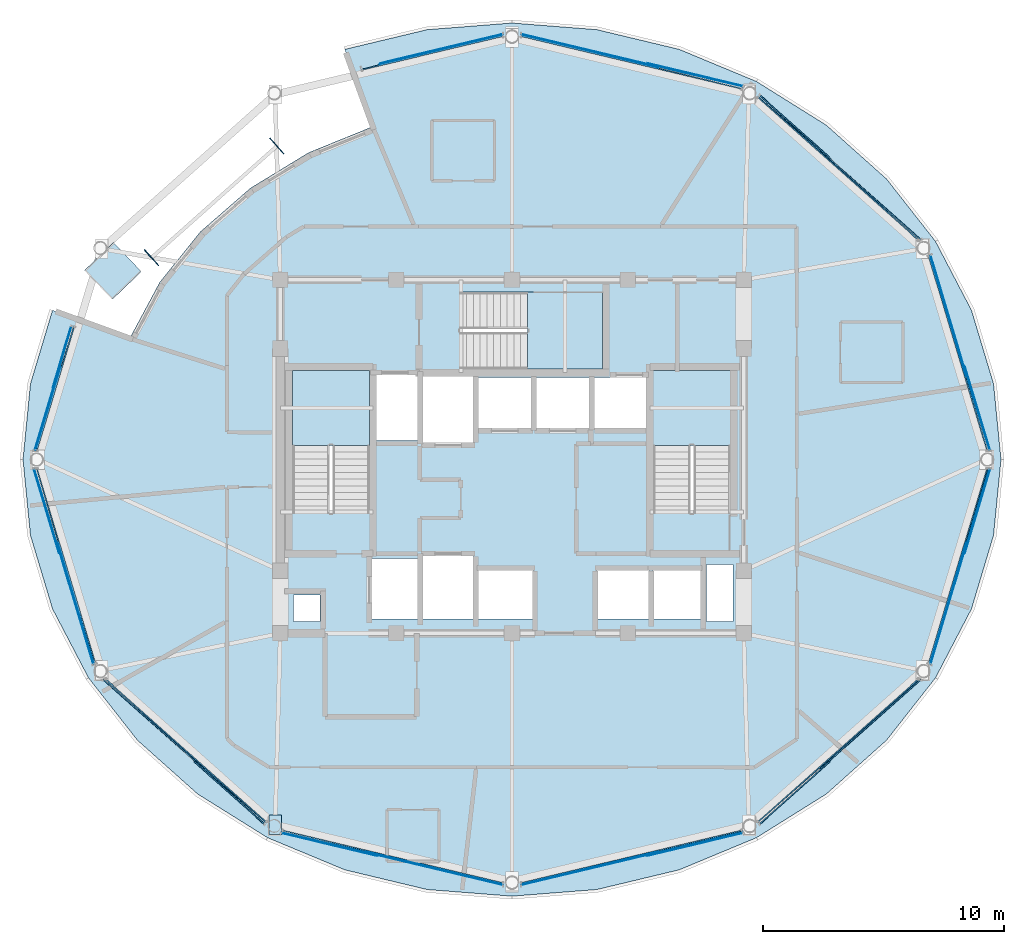
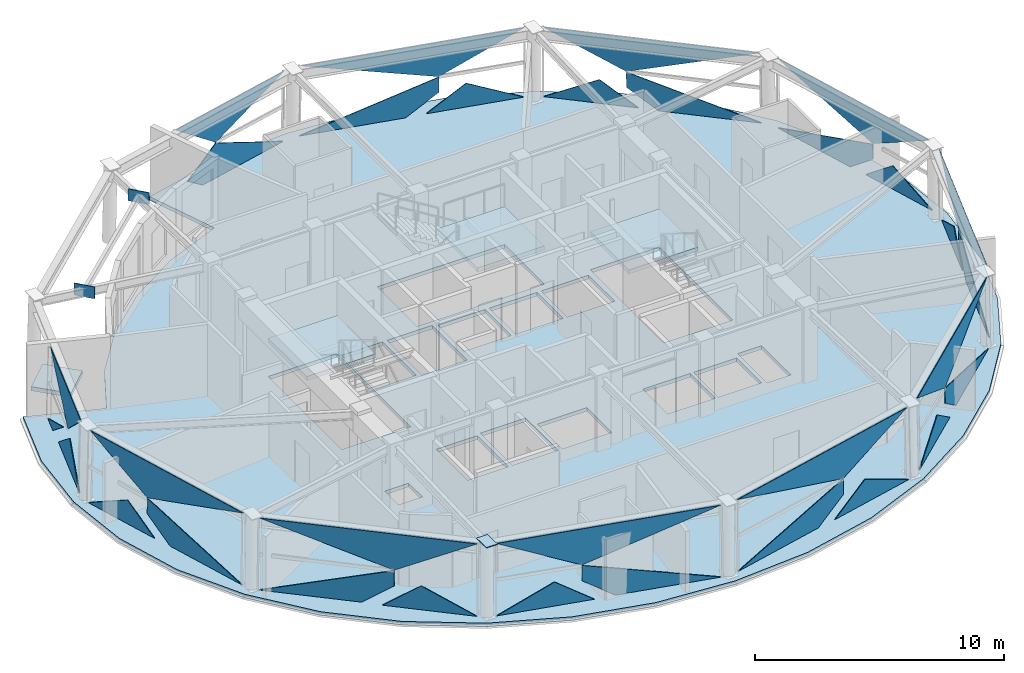
# One storey, part 6 of 14: 35 plates, 5 slabs, 14 elements without a shape of their own.
"""IFC4 building model written with IfcOpenShell, lengths in metres."""

import ifcopenshell
import ifcopenshell.guid

model = None  # the IFC model being written
_history = None  # IfcOwnerHistory: only IFC2X3 demands one
_inside = {}  # id of a spatial element -> (the spatial element, [elements in it])
_under = {}  # id of a project, library or spatial element -> (it, [spatial elements below it])
_declared = {}  # id of a project -> (the project, [libraries it declares])
_typed = {}  # id of a type object -> (the type object, [elements of that type])
_made_of = {}  # id of a material, layer set ... -> (it, [elements and type objects made of it])


def new_model(schema):
    """Start an empty IFC model of exactly this schema.

    Asked for "IFC4X3", IfcOpenShell would pick the latest addendum, in which some entities
    have other attributes; the version numbers below select the first issue.
    IFC2X3 requires an IfcOwnerHistory on every rooted entity: one is made here for all.
    """
    global model, _history
    if schema == "IFC4X3":
        model = ifcopenshell.file(schema_version=(4, 3, 0, 0))
    else:
        model = ifcopenshell.file(schema=schema)
    _inside.clear()
    _under.clear()
    _declared.clear()
    _typed.clear()
    _made_of.clear()
    _history = None
    if model.schema == "IFC2X3":
        org = make("IfcOrganization", Name="unknown")
        user = make(
            "IfcPersonAndOrganization",
            ThePerson=make("IfcPerson", FamilyName="unknown"),
            TheOrganization=org,
        )
        app = make(
            "IfcApplication",
            ApplicationDeveloper=org,
            Version="unknown",
            ApplicationFullName="unknown",
            ApplicationIdentifier="unknown",
        )
        _history = make(
            "IfcOwnerHistory",
            OwningUser=user,
            OwningApplication=app,
            ChangeAction="ADDED",
            CreationDate=0,
        )
    return model


def make(cls, **values):
    """One entity of the class cls with the attributes given. An attribute that is None is left unset."""
    return model.create_entity(
        cls, **{name: value for name, value in values.items() if value is not None}
    )


def rooted(cls, **values):
    """An entity with a GlobalId (a new one), such as an element, a storey or a relation."""
    return make(cls, GlobalId=ifcopenshell.guid.new(), OwnerHistory=_history, **values)


def si_unit(unit_type, name, prefix=None):
    """IfcSIUnit, for example si_unit("LENGTHUNIT", "METRE", prefix="MILLI")."""
    return make("IfcSIUnit", UnitType=unit_type, Prefix=prefix, Name=name)


def assignment(units):
    """IfcUnitAssignment: the units of a project."""
    return None if units is None else make("IfcUnitAssignment", Units=units)


def point(xyz):
    """IfcCartesianPoint."""
    return None if xyz is None else make("IfcCartesianPoint", Coordinates=xyz)


def direction(xyz):
    """IfcDirection."""
    return None if xyz is None else make("IfcDirection", DirectionRatios=xyz)


def frame(location, z_axis=None, x_axis=None):
    """IfcAxis2Placement3D, a coordinate frame: its origin and axes. An axis left out is left unset."""
    return make(
        "IfcAxis2Placement3D",
        Location=point(location),
        Axis=direction(z_axis),
        RefDirection=direction(x_axis),
    )


def frame_2d(location, x_axis=None):
    """IfcAxis2Placement2D, a coordinate frame in the plane: its origin and x axis."""
    return make(
        "IfcAxis2Placement2D", Location=point(location), RefDirection=direction(x_axis)
    )


def origin():
    """The frame at (0, 0, 0) with its axes left unset."""
    return frame((0.0, 0.0, 0.0))


def origin_2d():
    """The frame at (0, 0) in the plane with its x axis left unset."""
    return frame_2d((0.0, 0.0))


def place(relative_to, where):
    """IfcLocalPlacement: puts the frame where relative to a parent placement (None: the world)."""
    return make(
        "IfcLocalPlacement", PlacementRelTo=relative_to, RelativePlacement=where
    )


def context(
    kind, dimensions, precision=None, world=None, true_north=None, identifier=None
):
    """IfcGeometricRepresentationContext, for example the 3D "Model" context."""
    return make(
        "IfcGeometricRepresentationContext",
        ContextIdentifier=identifier,
        ContextType=kind,
        CoordinateSpaceDimension=dimensions,
        Precision=precision,
        WorldCoordinateSystem=world,
        TrueNorth=true_north,
    )


def subcontext(parent, identifier, kind, view, scale=None):
    """IfcGeometricRepresentationSubContext, for example "Body" below "Model"."""
    return make(
        "IfcGeometricRepresentationSubContext",
        ContextIdentifier=identifier,
        ContextType=kind,
        ParentContext=parent,
        TargetScale=scale,
        TargetView=view,
    )


def project(units=None, contexts=None):
    """IfcProject with its units and contexts."""
    return rooted(
        "IfcProject",
        Name="project",
        RepresentationContexts=contexts,
        UnitsInContext=assignment(units),
    )


def spatial(cls, under=None, at=None, **own):
    """A site, building, storey or space (cls), placed at a placement, below another one or the project."""
    s = rooted(cls, ObjectPlacement=at, **own)
    if under is not None:
        _under.setdefault(under.id(), (under, []))[1].append(s)
    return s


def polyline(points):
    """IfcPolyline through the points."""
    return make("IfcPolyline", Points=[point(p) for p in points])


def profile(cls, at=None, kind="AREA", **sizes):
    """A parametric profile (cls). Its sizes go by their IFC names, for example OverallWidth=200.0."""
    return make(cls, ProfileType=kind, Position=at, **sizes)


def rectangle(**sizes):
    """IfcRectangleProfileDef."""
    return profile("IfcRectangleProfileDef", **sizes)


def outline(outer, holes=None, kind="AREA"):
    """IfcArbitraryClosedProfileDef: a profile drawn as a closed curve; with holes, ...WithVoids."""
    if holes is None:
        return make("IfcArbitraryClosedProfileDef", ProfileType=kind, OuterCurve=outer)
    return make(
        "IfcArbitraryProfileDefWithVoids",
        ProfileType=kind,
        OuterCurve=outer,
        InnerCurves=holes,
    )


def extrude(swept, where, along, depth):
    """IfcExtrudedAreaSolid: the profile swept, set in the frame where, extruded along a direction by depth."""
    return make(
        "IfcExtrudedAreaSolid",
        SweptArea=swept,
        Position=where,
        ExtrudedDirection=direction(along),
        Depth=depth,
    )


def shape(context_of_items, identifier, shape_type, items):
    """IfcShapeRepresentation: the items that make up one representation, for example the "Body"."""
    return make(
        "IfcShapeRepresentation",
        ContextOfItems=context_of_items,
        RepresentationIdentifier=identifier,
        RepresentationType=shape_type,
        Items=items,
    )


def material(Name=None, Category=None):
    """IfcMaterial."""
    return make("IfcMaterial", Name=Name, Category=Category)


def layer(
    of_material, thickness, ventilated=None, Name=None, Category=None, Priority=None
):
    """IfcMaterialLayer: one layer of a wall or slab, of a material (None: an air gap)."""
    return make(
        "IfcMaterialLayer",
        Material=of_material,
        LayerThickness=thickness,
        IsVentilated=ventilated,
        Name=Name,
        Category=Category,
        Priority=Priority,
    )


def layer_set(layers, Name=None):
    """IfcMaterialLayerSet."""
    return make("IfcMaterialLayerSet", MaterialLayers=layers, LayerSetName=Name)


def made_of(thing, what):
    """Note that an element or type object is made of a material, layer set ...; save() writes the relation."""
    if what is not None:
        _made_of.setdefault(what.id(), (what, []))[1].append(thing)
    return thing


def type_object(cls, material=None, **own):
    """A type object (cls), such as IfcWallType, which elements share."""
    return made_of(rooted(cls, **own), material)


def element(
    cls,
    number,
    at=None,
    inside=None,
    cuts=None,
    type_object=None,
    material=None,
    context=None,
    identifier="Body",
    shape_type=None,
    held_by="IfcProductDefinitionShape",
    body=None,
    shapes=None,
    **own,
):
    """One element of the class cls, such as IfcWall. Its Tag is "e" and its number.

    at: its placement. inside: the storey or other place that contains it. cuts: it is an
    opening in that element (IfcRelVoidsElement). A single representation is given by context,
    identifier, shape_type and body (its items); several are given by shapes. held_by: the class
    of the entity that holds the representations. save() writes the other relations.
    """
    e = rooted(cls, Tag="e%d" % number, ObjectPlacement=at, **own)
    if body is not None:
        shapes = [shape(context, identifier, shape_type, body)]
    if shapes is not None:
        e.Representation = make(held_by, Representations=shapes)
    if inside is not None:
        _inside.setdefault(inside.id(), (inside, []))[1].append(e)
    if cuts is not None:
        rooted(
            "IfcRelVoidsElement", RelatingBuildingElement=cuts, RelatedOpeningElement=e
        )
    if type_object is not None:
        _typed.setdefault(type_object.id(), (type_object, []))[1].append(e)
    return made_of(e, material)


def aggregate(whole, parts):
    """IfcRelAggregates: a whole, such as a stair, and the parts it consists of."""
    return rooted("IfcRelAggregates", RelatingObject=whole, RelatedObjects=parts)


def save(model, path):
    """Write the relations noted so far, then the file.

    IfcRelAggregates (storeys below a building ...), IfcRelContainedInSpatialStructure (elements
    in a storey), IfcRelDefinesByType, IfcRelAssociatesMaterial and IfcRelDeclares: one each for
    every whole, place, type object, material and project.
    """
    for whole, parts in _under.values():
        aggregate(whole, parts)
    for where, things in _inside.values():
        rooted(
            "IfcRelContainedInSpatialStructure",
            RelatedElements=things,
            RelatingStructure=where,
        )
    for kind, things in _typed.values():
        rooted("IfcRelDefinesByType", RelatedObjects=things, RelatingType=kind)
    for what, things in _made_of.values():
        rooted("IfcRelAssociatesMaterial", RelatedObjects=things, RelatingMaterial=what)
    for by, libraries in _declared.values():
        rooted("IfcRelDeclares", RelatingContext=by, RelatedDefinitions=libraries)
    model.write(path)


model = new_model("IFC4")

# Units and contexts
model_context = context("Model", 3, precision=1e-05, world=origin(), true_north=direction((0.0, 1.0)))
body_context = subcontext(model_context, "Body", "Model", "MODEL_VIEW")
ifc_project = project(units=[si_unit("LENGTHUNIT", "METRE"), si_unit("AREAUNIT", "SQUARE_METRE"), si_unit("VOLUMEUNIT", "CUBIC_METRE"), si_unit("PLANEANGLEUNIT", "RADIAN"), si_unit("MASSUNIT", "GRAM", prefix="KILO")], contexts=[model_context])

# Site, building, storey
site_placement = place(None, origin())
site = spatial("IfcSite", under=ifc_project, at=site_placement, CompositionType="ELEMENT")
building_placement = place(site_placement, origin())
building = spatial("IfcBuilding", under=site, at=building_placement, Name="Vantalir Tower", CompositionType="ELEMENT")
storey_placement = place(building_placement, frame((0.0, 0.0, 271.35009765625)))
storey = spatial("IfcBuildingStorey", under=building, at=storey_placement, Name="L68", CompositionType="ELEMENT", Elevation=271.35009765625)

# Curtain wall, plates
ifc_material_1 = material(Name="Champagne-silver PVDF aluminium and double-silver Low-E glass", Category="aluminium")
ifc_layer_1 = layer(ifc_material_1, 0.219970703125)
ifc_layer_set_1 = layer_set([ifc_layer_1], Name="Champagne-silver PVDF aluminium and double-silver Low-E glass")
curtain_wall_type = type_object("IfcCurtainWallType", Name="CW-DIAMOND-Z4", PredefinedType="USERDEFINED", material=ifc_layer_set_1)
curtain_wall_1_placement = place(storey_placement, origin())
curtain_wall_1 = element("IfcCurtainWall", 1, at=curtain_wall_1_placement, inside=storey, type_object=curtain_wall_type, Name="L68 Quilted Pyramid-Diamond Curtain Wall S01", ObjectType="UNITISED CURTAIN WALL", PredefinedType="USERDEFINED")
ifc_material_2 = material(Name="Double-silver Low-E acoustic glass IGU", Category="glass")
ifc_layer_2 = layer(ifc_material_2, 0.031982421875)
ifc_layer_set_2 = layer_set([ifc_layer_2], Name="Double-silver Low-E acoustic glass IGU")
plate_type_1 = type_object("IfcPlateType", Name="CWP-IGU-32", PredefinedType="CURTAIN_PANEL", material=ifc_layer_set_2)
plate_1_placement = place(storey_placement, frame((49.99267578125, 29.6787109375, 0.046875), z_axis=(0.957600551323, 0.287981988157, 0.008219404015), x_axis=(-0.287991716861, 0.957632899925, 4.8352e-08)))
plate_1 = element("IfcPlate", 2, at=plate_1_placement, type_object=plate_type_1, Name="CW-L68-S01 Pyramid Diamond Facet 1L", PredefinedType="CURTAIN_PANEL", context=body_context, shape_type="SweptSolid", body=[
    extrude(outline(polyline([(0.0, 0.0), (3.9656262230992936, -1.734723475976807e-18), (-1.2653456047613298, 1.725155992980119), (-1.2653965126040545, 0.9797696775493727), (0.0, 0.0)])), origin(), (0.0, 0.0, -1.0), 0.031982421875),
])
plate_2_placement = place(storey_placement, frame((51.31787109375, 25.39794921875, 0.04736328125), z_axis=(0.957595196594, 0.288001070374, 0.008174528922), x_axis=(-0.288010693393, 0.957627192853, 0.0)))
plate_2 = element("IfcPlate", 3, at=plate_2_placement, type_object=plate_type_1, Name="CW-L68-S01 Pyramid Diamond Facet 1L Infill Light", PredefinedType="CURTAIN_PANEL", context=body_context, shape_type="SweptSolid", body=[
    extrude(outline(polyline([(0.0, 0.0), (3.649258221082266, 0.0), (2.1555838880380014, 1.156288633938646), (0.0, 0.0)])), origin(), (0.0, 0.0, -1.0), 0.031982421875),
])
plate_3_placement = place(storey_placement, frame((48.78173828125, 33.44140625, 3.52294921875), z_axis=(0.957032217743, 0.287793259427, 0.0355580375), x_axis=(0.287976360321, -0.957637517568, -2.9029875e-05)))
plate_3 = element("IfcPlate", 4, at=plate_3_placement, type_object=plate_type_1, Name="CW-L68-S01 Pyramid Diamond Facet 2U", PredefinedType="CURTAIN_PANEL", context=body_context, shape_type="SweptSolid", body=[
    extrude(outline(polyline([(0.0, 0.0), (8.409978504136427, -1.1384122811097797e-18), (5.217508751247851, 1.7260377171163235), (0.0, 0.0)])), origin(), (0.0, 0.0, -1.0), 0.031982421875),
])
aggregate(curtain_wall_1, [plate_1, plate_2, plate_3])

curtain_wall_2_placement = place(storey_placement, origin())
curtain_wall_2 = element("IfcCurtainWall", 5, at=curtain_wall_2_placement, inside=storey, type_object=curtain_wall_type, Name="L68 Quilted Pyramid-Diamond Curtain Wall S02", ObjectType="UNITISED CURTAIN WALL", PredefinedType="USERDEFINED")
plate_4_placement = place(storey_placement, frame((48.431640625, 34.13330078125, 0.046630859375), z_axis=(0.665243288053, 0.746592936429, 0.007096123877), x_axis=(-0.746612007324, 0.665259729089, 5.8063188e-05)))
plate_4 = element("IfcPlate", 6, at=plate_4_placement, type_object=plate_type_1, Name="CW-L68-S02 Pyramid Diamond Facet 1L", PredefinedType="CURTAIN_PANEL", context=body_context, shape_type="SweptSolid", body=[
    extrude(outline(polyline([(0.0, 0.0), (4.209735691586554, -7.860465750519907e-19), (5.5427096570522565, 0.9767535480155572), (5.542888623404175, 1.7253078321370885), (0.0, 0.0)])), origin(), (0.0, 0.0, -1.0), 0.031982421875),
])
plate_5_placement = place(storey_placement, frame((44.66943359375, 37.53369140625, 0.047119140625), z_axis=(0.665219016272, 0.746614591222, 0.007093135012), x_axis=(-0.746633669784, 0.665235416357, 6.3001744e-05)))
plate_5 = element("IfcPlate", 7, at=plate_5_placement, type_object=plate_type_1, Name="CW-L68-S02 Pyramid Diamond Facet 1L Infill Light", PredefinedType="CURTAIN_PANEL", context=body_context, shape_type="SweptSolid", body=[
    extrude(outline(polyline([(0.0, 0.0), (3.875140733624361, -1.6805133673525319e-18), (1.584842435765129, 1.1610621753417412), (0.0, 0.0)])), origin(), (0.0, 0.0, -1.0), 0.031982421875),
])
plate_6_placement = place(storey_placement, frame((41.71240234375, 40.022705078125, 3.522705078125), z_axis=(0.664770370729, 0.746246356474, 0.034593780507), x_axis=(0.746692021826, -0.665169919296, 5.4823203e-05)))
plate_6 = element("IfcPlate", 8, at=plate_6_placement, type_object=plate_type_1, Name="CW-L68-S02 Pyramid Diamond Facet 2U", PredefinedType="CURTAIN_PANEL", context=body_context, shape_type="SweptSolid", body=[
    extrude(outline(polyline([(0.0, 0.0), (8.906470714310434, 1.0299920638612292e-17), (3.3919142461252854, 1.7263168909832705), (0.0, 0.0)])), origin(), (0.0, 0.0, -1.0), 0.031982421875),
])
aggregate(curtain_wall_2, [plate_4, plate_5, plate_6])

curtain_wall_3_placement = place(storey_placement, origin())
curtain_wall_3 = element("IfcCurtainWall", 9, at=curtain_wall_3_placement, inside=storey, type_object=curtain_wall_type, Name="L68 Quilted Pyramid-Diamond Curtain Wall S03", ObjectType="UNITISED CURTAIN WALL", PredefinedType="USERDEFINED")
plate_7_placement = place(storey_placement, frame((36.212646484375, 41.60400390625, 0.046630859375), z_axis=(0.232158103974, 0.972658372854, 0.006189061083), x_axis=(-0.972677001651, 0.2321625518, -2.24411e-07)))
plate_7 = element("IfcPlate", 10, at=plate_7_placement, type_object=plate_type_1, Name="CW-L68-S03 Pyramid Diamond Facet 1L", PredefinedType="CURTAIN_PANEL", context=body_context, shape_type="SweptSolid", body=[
    extrude(outline(polyline([(0.0, 0.0), (4.44020474010391, 0.0), (-1.3938351018432522, 1.7256186744857687), (-1.3939453577653698, 0.9768240399265565), (0.0, 0.0)])), origin(), (0.0, 0.0, -1.0), 0.031982421875),
])
plate_8_placement = place(storey_placement, frame((41.064453125, 40.48291015625, 0.047119140625), z_axis=(0.232209819931, 0.972645073866, 0.006337176967), x_axis=(-0.972664515518, 0.232214850281, -5.9679992e-05)))
plate_8 = element("IfcPlate", 11, at=plate_8_placement, type_object=plate_type_1, Name="CW-L68-S03 Pyramid Diamond Facet 1L Infill Light", PredefinedType="CURTAIN_PANEL", context=body_context, shape_type="SweptSolid", body=[
    extrude(outline(polyline([(0.0, 0.0), (4.090828690437195, -7.047314121155779e-19), (2.424850703064311, 1.1671603413552105), (0.0, 0.0)])), origin(), (0.0, 0.0, -1.0), 0.031982421875),
])
plate_9_placement = place(storey_placement, frame((31.893798828125, 42.56396484375, 3.523193359375), z_axis=(0.232094843629, 0.972109645229, 0.033687107516), x_axis=(0.97266190389, -0.232225795386, -2.6031364e-05)))
plate_9 = element("IfcPlate", 12, at=plate_9_placement, type_object=plate_type_1, Name="CW-L68-S03 Pyramid Diamond Facet 2U", PredefinedType="CURTAIN_PANEL", context=body_context, shape_type="SweptSolid", body=[
    extrude(outline(polyline([(0.0, 0.0), (9.378710543343471, -3.821812658011403e-18), (5.817699999006874, 1.7266586385818696), (0.0, 0.0)])), origin(), (0.0, 0.0, -1.0), 0.031982421875),
])
aggregate(curtain_wall_3, [plate_7, plate_8, plate_9])

curtain_wall_4_placement = place(storey_placement, origin())
curtain_wall_4 = element("IfcCurtainWall", 13, at=curtain_wall_4_placement, inside=storey, type_object=curtain_wall_type, Name="L68 Quilted Pyramid-Diamond Curtain Wall S04", ObjectType="UNITISED CURTAIN WALL", PredefinedType="USERDEFINED")
plate_10_placement = place(storey_placement, frame((31.106201171875, 42.635009765625, 0.047607421875), z_axis=(-0.232171140975, 0.972655996643, 0.006072354881), x_axis=(-0.97267385079, -0.232175745865, 5.4963198e-05)))
plate_10 = element("IfcPlate", 14, at=plate_10_placement, type_object=plate_type_1, Name="CW-L68-S04 Pyramid Diamond Facet 1L", PredefinedType="CURTAIN_PANEL", context=body_context, shape_type="SweptSolid", body=[
    extrude(outline(polyline([(0.0, 0.0), (4.44168624733416, -8.131516293641283e-19), (5.254777829925219, 0.5695459008883511), (3.7239102037261196, 1.7232157559050882), (0.0, 0.0)])), origin(), (0.0, 0.0, -1.0), 0.031982421875),
])
plate_11_placement = place(storey_placement, frame((25.286865234375, 41.1748046875, 3.521728515625), z_axis=(-0.232100042783, 0.972108460523, 0.033685473415), x_axis=(0.972661097042, 0.232229161909, 8.1612779e-05)))
plate_11 = element("IfcPlate", 15, at=plate_11_placement, type_object=plate_type_1, Name="CW-L68-S04 Pyramid Diamond Facet 2U", PredefinedType="CURTAIN_PANEL", context=body_context, shape_type="SweptSolid", body=[
    extrude(outline(polyline([(0.0, 0.0), (5.982901912289077, 1.0245710529988017e-17), (2.2755112978509078, 1.724064542412412), (0.0, 0.0)])), origin(), (0.0, 0.0, -1.0), 0.031982421875),
])
aggregate(curtain_wall_4, [plate_10, plate_11])

curtain_wall_5_placement = place(storey_placement, origin())
curtain_wall_5 = element("IfcCurtainWall", 16, at=curtain_wall_5_placement, inside=storey, type_object=curtain_wall_type, Name="L68 Quilted Pyramid-Diamond Curtain Wall S06", ObjectType="UNITISED CURTAIN WALL", PredefinedType="USERDEFINED")
plate_12_placement = place(storey_placement, frame((12.767333984375, 28.880859375, 0.048095703125), z_axis=(-0.957583823237, 0.288031951252, 0.008415255916), x_axis=(-0.288041610527, -0.957617891503, 6.6924166e-05)))
plate_12 = element("IfcPlate", 17, at=plate_12_placement, type_object=plate_type_1, Name="CW-L68-S06 Pyramid Diamond Facet 1L", PredefinedType="CURTAIN_PANEL", context=body_context, shape_type="SweptSolid", body=[
    extrude(outline(polyline([(0.0, 0.0), (3.648018937535446, 1.1384122811097797e-18), (1.902600595227721, 1.472581065805086), (0.0, 0.0)])), origin(), (0.0, 0.0, -1.0), 0.031982421875),
])
plate_13_placement = place(storey_placement, frame((13.226318359375, 30.5322265625, 0.048095703125), z_axis=(-0.957594746602, 0.287998420031, 0.008319335295), x_axis=(-0.288008386926, -0.95762788653, 0.0)))
plate_13 = element("IfcPlate", 18, at=plate_13_placement, type_object=plate_type_1, Name="CW-L68-S06 Pyramid Diamond Facet 1L Infill Light", PredefinedType="CURTAIN_PANEL", context=body_context, shape_type="SweptSolid", body=[
    extrude(outline(polyline([(0.0, 0.0), (0.8815932504942495, 0.0), (2.6747038650731243, 1.3882316352669548), (0.0, 0.0)])), origin(), (0.0, 0.0, -1.0), 0.031982421875),
])
plate_14_placement = place(storey_placement, frame((11.79638671875, 25.387451171875, 3.521484375), z_axis=(-0.957039117525, 0.287771203398, 0.035550837151), x_axis=(0.287956342959, 0.957643532939, 9.1487321e-05)))
plate_14 = element("IfcPlate", 19, at=plate_14_placement, type_object=plate_type_1, Name="CW-L68-S06 Pyramid Diamond Facet 2U", PredefinedType="CURTAIN_PANEL", context=body_context, shape_type="SweptSolid", body=[
    extrude(outline(polyline([(0.0, 0.0), (5.337146661127436, -6.505213034913027e-19), (2.0188857692836546, 1.7239307093780445), (0.0, 0.0)])), origin(), (0.0, 0.0, -1.0), 0.031982421875),
])
aggregate(curtain_wall_5, [plate_12, plate_13, plate_14])

curtain_wall_6_placement = place(storey_placement, origin())
curtain_wall_6 = element("IfcCurtainWall", 20, at=curtain_wall_6_placement, inside=storey, type_object=curtain_wall_type, Name="L68 Quilted Pyramid-Diamond Curtain Wall S07", ObjectType="UNITISED CURTAIN WALL", PredefinedType="USERDEFINED")
plate_15_placement = place(storey_placement, frame((13.00732421875, 20.320556640625, 0.046875), z_axis=(-0.957593085764, -0.288003982509, 0.00831794178), x_axis=(0.288013943935, -0.957626215232, -2.91615e-07)))
plate_15 = element("IfcPlate", 21, at=plate_15_placement, type_object=plate_type_1, Name="CW-L68-S07 Pyramid Diamond Facet 1L", PredefinedType="CURTAIN_PANEL", context=body_context, shape_type="SweptSolid", body=[
    extrude(outline(polyline([(0.0, 0.0), (3.965860018035083, 0.0), (-1.2658134527026035, 1.7251569683665466), (-1.2659345647834086, 0.9800128463076077), (0.0, 0.0)])), origin(), (0.0, 0.0, -1.0), 0.031982421875),
])
plate_16_placement = place(storey_placement, frame((11.68212890625, 24.60205078125, 0.04736328125), z_axis=(-0.957606206671, -0.28796414639, 0.008185556788), x_axis=(0.287973794154, -0.95763828969, 0.0)))
plate_16 = element("IfcPlate", 22, at=plate_16_placement, type_object=plate_type_1, Name="CW-L68-S07 Pyramid Diamond Facet 1L Infill Light", PredefinedType="CURTAIN_PANEL", context=body_context, shape_type="SweptSolid", body=[
    extrude(outline(polyline([(0.0, 0.0), (3.6497258151943885, 0.0), (2.155817320642114, 1.1562887382526017), (0.0, 0.0)])), origin(), (0.0, 0.0, -1.0), 0.031982421875),
])
plate_17_placement = place(storey_placement, frame((14.21826171875, 16.55859375, 3.52294921875), z_axis=(-0.957030831145, -0.287792841222, 0.03559871879), x_axis=(-0.287976360321, 0.957637517568, -2.9029875e-05)))
plate_17 = element("IfcPlate", 23, at=plate_17_placement, type_object=plate_type_1, Name="CW-L68-S07 Pyramid Diamond Facet 2U", PredefinedType="CURTAIN_PANEL", context=body_context, shape_type="SweptSolid", body=[
    extrude(outline(polyline([(0.0, 0.0), (8.409978504136427, 1.338989683019598e-17), (5.217274953025789, 1.7260402252985387), (0.0, 0.0)])), origin(), (0.0, 0.0, -1.0), 0.031982421875),
])
aggregate(curtain_wall_6, [plate_15, plate_16, plate_17])

curtain_wall_7_placement = place(storey_placement, origin())
curtain_wall_7 = element("IfcCurtainWall", 24, at=curtain_wall_7_placement, inside=storey, type_object=curtain_wall_type, Name="L68 Quilted Pyramid-Diamond Curtain Wall S08", ObjectType="UNITISED CURTAIN WALL", PredefinedType="USERDEFINED")
plate_18_placement = place(storey_placement, frame((14.568359375, 15.86572265625, 0.046630859375), z_axis=(-0.665173672221, -0.746654639225, 0.007129902286), x_axis=(0.746673892167, -0.665190270065, 5.8022197e-05)))
plate_18 = element("IfcPlate", 25, at=plate_18_placement, type_object=plate_type_1, Name="CW-L68-S08 Pyramid Diamond Facet 1L", PredefinedType="CURTAIN_PANEL", context=body_context, shape_type="SweptSolid", body=[
    extrude(outline(polyline([(0.0, 0.0), (4.209410877236232, 3.63207727782644e-18), (5.542223023757027, 0.9765098913136938), (5.542402471545294, 1.7253083106962637), (0.0, 0.0)])), origin(), (0.0, 0.0, -1.0), 0.031982421875),
])
plate_19_placement = place(storey_placement, frame((18.33056640625, 12.4658203125, 0.047119140625), z_axis=(-0.665148633317, -0.746677022991, 0.007121722654), x_axis=(0.74669625604, -0.665165165388, 6.3007025e-05)))
plate_19 = element("IfcPlate", 26, at=plate_19_placement, type_object=plate_type_1, Name="CW-L68-S08 Pyramid Diamond Facet 1L Infill Light", PredefinedType="CURTAIN_PANEL", context=body_context, shape_type="SweptSolid", body=[
    extrude(outline(polyline([(0.0, 0.0), (3.8748159287941144, -1.6263032587282567e-19), (1.584680815897727, 1.1610624130775922), (0.0, 0.0)])), origin(), (0.0, 0.0, -1.0), 0.031982421875),
])
plate_20_placement = place(storey_placement, frame((21.28759765625, 9.977294921875, 3.522705078125), z_axis=(-0.66476793425, -0.746243630078, 0.034699253035), x_axis=(-0.746692021826, 0.665169919296, 5.4823203e-05)))
plate_20 = element("IfcPlate", 27, at=plate_20_placement, type_object=plate_type_1, Name="CW-L68-S08 Pyramid Diamond Facet 2U", PredefinedType="CURTAIN_PANEL", context=body_context, shape_type="SweptSolid", body=[
    extrude(outline(polyline([(0.0, 0.0), (8.906470714310434, -4.575333167888829e-17), (3.3917518511254574, 1.726323198071394), (0.0, 0.0)])), origin(), (0.0, 0.0, -1.0), 0.031982421875),
])
aggregate(curtain_wall_7, [plate_18, plate_19, plate_20])

curtain_wall_8_placement = place(storey_placement, origin())
curtain_wall_8 = element("IfcCurtainWall", 28, at=curtain_wall_8_placement, inside=storey, type_object=curtain_wall_type, Name="L68 Quilted Pyramid-Diamond Curtain Wall S09", ObjectType="UNITISED CURTAIN WALL", PredefinedType="USERDEFINED")
plate_21_placement = place(storey_placement, frame((26.787353515625, 8.39599609375, 0.046630859375), z_axis=(-0.232158103974, -0.972658372854, 0.006189061083), x_axis=(0.972677001651, -0.2321625518, -2.24411e-07)))
plate_21 = element("IfcPlate", 29, at=plate_21_placement, type_object=plate_type_1, Name="CW-L68-S09 Pyramid Diamond Facet 1L", PredefinedType="CURTAIN_PANEL", context=body_context, shape_type="SweptSolid", body=[
    extrude(outline(polyline([(0.0, 0.0), (4.44020474010391, 0.0), (-1.3938351018432522, 1.7256186744857687), (-1.3939453577653698, 0.9768240399265565), (0.0, 0.0)])), origin(), (0.0, 0.0, -1.0), 0.031982421875),
])
plate_22_placement = place(storey_placement, frame((21.935546875, 9.51708984375, 0.047119140625), z_axis=(-0.232209819931, -0.972645073866, 0.006337176967), x_axis=(0.972664515518, -0.232214850281, -5.9679992e-05)))
plate_22 = element("IfcPlate", 30, at=plate_22_placement, type_object=plate_type_1, Name="CW-L68-S09 Pyramid Diamond Facet 1L Infill Light", PredefinedType="CURTAIN_PANEL", context=body_context, shape_type="SweptSolid", body=[
    extrude(outline(polyline([(0.0, 0.0), (4.090828690437195, -7.047314121155779e-19), (2.424850703064311, 1.1671603413552105), (0.0, 0.0)])), origin(), (0.0, 0.0, -1.0), 0.031982421875),
])
plate_23_placement = place(storey_placement, frame((31.106201171875, 7.43603515625, 3.523193359375), z_axis=(-0.232094843629, -0.972109645229, 0.033687107516), x_axis=(-0.97266190389, 0.232225795386, -2.6031364e-05)))
plate_23 = element("IfcPlate", 31, at=plate_23_placement, type_object=plate_type_1, Name="CW-L68-S09 Pyramid Diamond Facet 2U", PredefinedType="CURTAIN_PANEL", context=body_context, shape_type="SweptSolid", body=[
    extrude(outline(polyline([(0.0, 0.0), (9.378710543343471, -3.821812658011403e-18), (5.817699999006874, 1.7266586385818696), (0.0, 0.0)])), origin(), (0.0, 0.0, -1.0), 0.031982421875),
])
aggregate(curtain_wall_8, [plate_21, plate_22, plate_23])

curtain_wall_9_placement = place(storey_placement, origin())
curtain_wall_9 = element("IfcCurtainWall", 32, at=curtain_wall_9_placement, inside=storey, type_object=curtain_wall_type, Name="L68 Quilted Pyramid-Diamond Curtain Wall S10", ObjectType="UNITISED CURTAIN WALL", PredefinedType="USERDEFINED")
plate_24_placement = place(storey_placement, frame((31.893798828125, 7.364990234375, 0.046630859375), z_axis=(0.232158103974, -0.972658372854, 0.006189061083), x_axis=(0.972677001651, 0.2321625518, 2.24411e-07)))
plate_24 = element("IfcPlate", 33, at=plate_24_placement, type_object=plate_type_1, Name="CW-L68-S10 Pyramid Diamond Facet 1L", PredefinedType="CURTAIN_PANEL", context=body_context, shape_type="SweptSolid", body=[
    extrude(outline(polyline([(0.0, 0.0), (4.44020474010391, 0.0), (5.83415009786928, 0.9768240399265565), (5.834039841947162, 1.7256186744857687), (0.0, 0.0)])), origin(), (0.0, 0.0, -1.0), 0.031982421875),
])
plate_25_placement = place(storey_placement, frame((37.08544921875, 8.567138671875, 0.046875), z_axis=(0.232209819931, -0.972645073866, 0.006337176967), x_axis=(0.972664515518, 0.232214850281, 5.9679992e-05)))
plate_25 = element("IfcPlate", 34, at=plate_25_placement, type_object=plate_type_1, Name="CW-L68-S10 Pyramid Diamond Facet 1L Infill Light", PredefinedType="CURTAIN_PANEL", context=body_context, shape_type="SweptSolid", body=[
    extrude(outline(polyline([(0.0, 0.0), (4.090828690437195, 7.047314121155779e-19), (1.6659779873728837, 1.1671603413552105), (0.0, 0.0)])), origin(), (0.0, 0.0, -1.0), 0.031982421875),
])
plate_26_placement = place(storey_placement, frame((41.01611328125, 9.614013671875, 3.52294921875), z_axis=(0.232094843629, -0.972109645229, 0.033687107516), x_axis=(-0.97266190389, -0.232225795386, 2.6031364e-05)))
plate_26 = element("IfcPlate", 35, at=plate_26_placement, type_object=plate_type_1, Name="CW-L68-S10 Pyramid Diamond Facet 2U", PredefinedType="CURTAIN_PANEL", context=body_context, shape_type="SweptSolid", body=[
    extrude(outline(polyline([(0.0, 0.0), (9.378710543343471, 3.821812658011403e-18), (3.561010544336598, 1.7266586385818696), (0.0, 0.0)])), origin(), (0.0, 0.0, -1.0), 0.031982421875),
])
aggregate(curtain_wall_9, [plate_24, plate_25, plate_26])

curtain_wall_10_placement = place(storey_placement, origin())
curtain_wall_10 = element("IfcCurtainWall", 36, at=curtain_wall_10_placement, inside=storey, type_object=curtain_wall_type, Name="L68 Quilted Pyramid-Diamond Curtain Wall S11", ObjectType="UNITISED CURTAIN WALL", PredefinedType="USERDEFINED")
plate_27_placement = place(storey_placement, frame((45.28857421875, 13.065673828125, 0.046875), z_axis=(0.665173672221, -0.746654639225, 0.007129902286), x_axis=(0.746673892167, 0.665190270065, -5.8022197e-05)))
plate_27 = element("IfcPlate", 37, at=plate_27_placement, type_object=plate_type_1, Name="CW-L68-S11 Pyramid Diamond Facet 1L", PredefinedType="CURTAIN_PANEL", context=body_context, shape_type="SweptSolid", body=[
    extrude(outline(polyline([(0.0, 0.0), (4.209410877236232, -3.63207727782644e-18), (-1.3329915943090613, 1.7253083106962634), (-1.3328121465207947, 0.9765098913136937), (0.0, 0.0)])), origin(), (0.0, 0.0, -1.0), 0.031982421875),
])
plate_28_placement = place(storey_placement, frame((41.776123046875, 9.888427734375, 0.04736328125), z_axis=(0.665148633317, -0.746677022991, 0.007121722654), x_axis=(0.74669625604, 0.665165165388, -6.3007025e-05)))
plate_28 = element("IfcPlate", 38, at=plate_28_placement, type_object=plate_type_1, Name="CW-L68-S11 Pyramid Diamond Facet 1L Infill Light", PredefinedType="CURTAIN_PANEL", context=body_context, shape_type="SweptSolid", body=[
    extrude(outline(polyline([(0.0, 0.0), (3.8748159287941144, 1.6263032587282567e-19), (2.290135112896387, 1.1610624130775922), (0.0, 0.0)])), origin(), (0.0, 0.0, -1.0), 0.031982421875),
])
plate_29_placement = place(storey_placement, frame((48.36279296875, 15.901611328125, 3.523193359375), z_axis=(0.66476793425, -0.746243630078, 0.034699253035), x_axis=(-0.746692021826, -0.665169919296, -5.4823203e-05)))
plate_29 = element("IfcPlate", 39, at=plate_29_placement, type_object=plate_type_1, Name="CW-L68-S11 Pyramid Diamond Facet 2U", PredefinedType="CURTAIN_PANEL", context=body_context, shape_type="SweptSolid", body=[
    extrude(outline(polyline([(0.0, 0.0), (8.906470714310434, 4.575333167888829e-17), (5.514718863184975, 1.726323198071394), (0.0, 0.0)])), origin(), (0.0, 0.0, -1.0), 0.031982421875),
])
aggregate(curtain_wall_10, [plate_27, plate_28, plate_29])

curtain_wall_11_placement = place(storey_placement, origin())
curtain_wall_11 = element("IfcCurtainWall", 40, at=curtain_wall_11_placement, inside=storey, type_object=curtain_wall_type, Name="L68 Quilted Pyramid-Diamond Curtain Wall S12", ObjectType="UNITISED CURTAIN WALL", PredefinedType="USERDEFINED")
plate_30_placement = place(storey_placement, frame((48.8505859375, 16.522705078125, 0.046875), z_axis=(0.957593085764, -0.288003982509, 0.00831794178), x_axis=(0.288013943935, 0.957626215232, 2.91615e-07)))
plate_30 = element("IfcPlate", 41, at=plate_30_placement, type_object=plate_type_1, Name="CW-L68-S12 Pyramid Diamond Facet 1L", PredefinedType="CURTAIN_PANEL", context=body_context, shape_type="SweptSolid", body=[
    extrude(outline(polyline([(0.0, 0.0), (3.965860018035083, 0.0), (5.231794582818491, 0.9800128463076077), (5.231673470737687, 1.7251569683665466), (0.0, 0.0)])), origin(), (0.0, 0.0, -1.0), 0.031982421875),
])
plate_31_placement = place(storey_placement, frame((50.266845703125, 21.10693359375, 0.04736328125), z_axis=(0.957606206671, -0.28796414639, 0.008185556788), x_axis=(0.287973794154, 0.95763828969, 0.0)))
plate_31 = element("IfcPlate", 42, at=plate_31_placement, type_object=plate_type_1, Name="CW-L68-S12 Pyramid Diamond Facet 1L Infill Light", PredefinedType="CURTAIN_PANEL", context=body_context, shape_type="SweptSolid", body=[
    extrude(outline(polyline([(0.0, 0.0), (3.6497258151943885, 0.0), (1.4939084945522743, 1.1562887382526017), (0.0, 0.0)])), origin(), (0.0, 0.0, -1.0), 0.031982421875),
])
plate_32_placement = place(storey_placement, frame((51.20361328125, 24.6123046875, 3.522705078125), z_axis=(0.957030831145, -0.287792841222, 0.03559871879), x_axis=(-0.287976360321, -0.957637517568, 2.9029875e-05)))
plate_32 = element("IfcPlate", 43, at=plate_32_placement, type_object=plate_type_1, Name="CW-L68-S12 Pyramid Diamond Facet 2U", PredefinedType="CURTAIN_PANEL", context=body_context, shape_type="SweptSolid", body=[
    extrude(outline(polyline([(0.0, 0.0), (8.409978504136427, -1.338989683019598e-17), (3.192703551110638, 1.7260402252985387), (0.0, 0.0)])), origin(), (0.0, 0.0, -1.0), 0.031982421875),
])
aggregate(curtain_wall_11, [plate_30, plate_31, plate_32])

# Plates
ifc_material_3 = material(Name="Steel S460", Category="steel")
ifc_layer_3 = layer(ifc_material_3, 0.035888671875)
ifc_layer_set_3 = layer_set([ifc_layer_3], Name="Steel S460")
plate_type_2 = type_object("IfcPlateType", Name="PLT-KN-Z2", PredefinedType="USERDEFINED", material=ifc_layer_set_3)
for number, where, z_axis, x_axis, name in (
    (44, (21.756103515625, 37.988037109375, 3.1298828125), (0.0, 0.0, 1.0), (-0.747032806442, -0.664787173538, 0.0), "L68 Lintel Cap 1A"),
    (45, (16.56103515625, 33.364990234375, 3.1298828125), (0.0, 0.0, 1.0), (-0.747032806442, -0.664787173538, 0.0), "L68 Lintel Cap 1B"),
):
    element("IfcPlate", number, at=place(storey_placement, frame(where, z_axis=z_axis, x_axis=x_axis)), inside=storey, type_object=plate_type_2, Name=name, ObjectType="FLANGE_PLATE", PredefinedType="USERDEFINED", context=body_context, shape_type="SweptSolid", body=[
        extrude(rectangle(XDim=0.035888671875, YDim=0.8798828125, at=origin_2d()), origin(), (0.0, 0.0, 1.0), 0.580078125),
    ])
ifc_layer_4 = layer(ifc_material_3, 0.031982421875)
ifc_layer_set_4 = layer_set([ifc_layer_4], Name="Steel S460")
plate_type_3 = type_object("IfcPlateType", Name="PLT-KN-Z3", PredefinedType="USERDEFINED", material=ifc_layer_set_4)
plate_33_placement = place(storey_placement, frame((21.42529296875, 10.2724609375, 3.590087890625), z_axis=(0.011269256107, 0.017087827576, 0.999790483059), x_axis=(2.9377e-08, -0.999853973875, 0.017088912392)))
element("IfcPlate", 46, at=plate_33_placement, inside=storey, type_object=plate_type_3, Name="L68 Ring Column Top Cap RC09", ObjectType="FLANGE_PLATE", PredefinedType="USERDEFINED", context=body_context, shape_type="SweptSolid", body=[
    extrude(outline(polyline([(0.0, 0.0), (0.800165637568779, -2.710505431213761e-20), (0.800065522499516, 0.5200525311249645), (0.00014398990482752288, 0.5200525781342319), (0.0, 0.0)])), origin(), (0.0, 0.0, -1.0), 0.031982421875),
])

# Stair, slab
ifc_material_4 = material(Name="Concrete C40/50", Category="concrete")
stair_type = type_object("IfcStairType", Name="STR-CORE-1450", PredefinedType="HALF_TURN_STAIR", material=ifc_material_4)
stair_1_placement = place(storey_placement, origin())
stair_1 = element("IfcStair", 47, at=stair_1_placement, inside=storey, type_object=stair_type, Name="L68 Core Exit Stair 1", PredefinedType="HALF_TURN_STAIR")
ifc_layer_5 = layer(ifc_material_4, 0.199951171875)
ifc_layer_set_5 = layer_set([ifc_layer_5], Name="Concrete C40/50")
slab_type_1 = type_object("IfcSlabType", Name="SL-LAND-200", PredefinedType="LANDING", material=ifc_layer_set_5)
slab_1_placement = place(storey_placement, frame((0.0, 0.0, 1.6748046875)))
slab_1 = element("IfcSlab", 48, at=slab_1_placement, type_object=slab_type_1, Name="ST1 landing 1", PredefinedType="LANDING", context=body_context, shape_type="SweptSolid", body=[
    extrude(outline(polyline([(25.60009765625, 25.590087890625), (25.60009765625, 28.699951171875), (22.39990234375, 28.699951171875), (22.39990234375, 25.590087890625), (25.60009765625, 25.590087890625)])), origin(), (0.0, 0.0, 1.0), 0.2001953125),
])
aggregate(stair_1, [slab_1])

stair_2_placement = place(storey_placement, origin())
stair_2 = element("IfcStair", 49, at=stair_2_placement, inside=storey, type_object=stair_type, Name="L68 Core Exit Stair 2", PredefinedType="HALF_TURN_STAIR")
slab_2_placement = place(storey_placement, frame((0.0, 0.0, 1.6748046875)))
slab_2 = element("IfcSlab", 50, at=slab_2_placement, type_object=slab_type_1, Name="ST2 landing 1", PredefinedType="LANDING", context=body_context, shape_type="SweptSolid", body=[
    extrude(outline(polyline([(40.550048828125, 25.590087890625), (40.550048828125, 28.699951171875), (37.35009765625, 28.699951171875), (37.35009765625, 25.590087890625), (40.550048828125, 25.590087890625)])), origin(), (0.0, 0.0, 1.0), 0.2001953125),
])
aggregate(stair_2, [slab_2])

stair_3_placement = place(storey_placement, origin())
stair_3 = element("IfcStair", 51, at=stair_3_placement, inside=storey, type_object=stair_type, Name="L68 Core Exit Stair 3", PredefinedType="HALF_TURN_STAIR")
slab_3_placement = place(storey_placement, frame((0.0, 0.0, 1.6748046875)))
slab_3 = element("IfcSlab", 52, at=slab_3_placement, type_object=slab_type_1, Name="ST3 landing 1", PredefinedType="LANDING", context=body_context, shape_type="SweptSolid", body=[
    extrude(outline(polyline([(32.139892578125, 28.75), (35.25, 28.75), (35.25, 31.949951171875), (32.139892578125, 31.949951171875), (32.139892578125, 28.75)])), origin(), (0.0, 0.0, 1.0), 0.2001953125),
])
aggregate(stair_3, [slab_3])

# Slabs
slab_4_placement = place(storey_placement, frame((0.0, 0.0, -0.2001953125)))
element("IfcSlab", 53, at=slab_4_placement, inside=storey, type_object=slab_type_1, Name="Sky Garden Stair SG4 Upper Gallery Landing", PredefinedType="LANDING", context=body_context, shape_type="SweptSolid", body=[
    extrude(outline(polyline([(14.986083984375, 33.993896484375), (13.7890625, 32.843994140625), (14.946044921875, 31.639892578125), (16.14306640625, 32.7900390625), (14.986083984375, 33.993896484375)])), origin(), (0.0, 0.0, 1.0), 0.2001953125),
])
ifc_layer_6 = layer(ifc_material_4, 0.179931640625)
ifc_layer_set_6 = layer_set([ifc_layer_6], Name="Concrete C40/50")
slab_type_2 = type_object("IfcSlabType", Name="SL-TWR-180", PredefinedType="FLOOR", material=ifc_layer_set_6)
slab_5_placement = place(storey_placement, frame((0.0, 0.0, -0.18017578125)))
element("IfcSlab", 54, at=slab_5_placement, inside=storey, type_object=slab_type_2, Name="L68 Primary Structural Slab", PredefinedType="FLOOR", context=body_context, shape_type="SweptSolid", body=[
    extrude(outline(polyline([(15.97998046875, 13.373046875), (18.47705078125, 11.14306640625), (21.3701171875, 9.333984375), (24.571044921875, 8.001953125), (27.98193359375, 7.18603515625), (31.5, 6.910888671875), (35.01806640625, 7.18603515625), (38.428955078125, 8.001953125), (41.6298828125, 9.333984375), (44.52294921875, 11.14306640625), (47.02001953125, 13.373046875), (49.0458984375, 15.955078125), (50.5380859375, 18.81298828125), (51.451904296875, 21.85888671875), (51.760009765625, 25.0), (51.451904296875, 28.14111328125), (50.5380859375, 31.18701171875), (49.0458984375, 34.0439453125), (47.02001953125, 36.626953125), (44.52294921875, 38.85693359375), (41.6298828125, 40.666015625), (38.428955078125, 41.998046875), (35.01806640625, 42.81396484375), (31.5, 43.089111328125), (27.98193359375, 42.81396484375), (24.571044921875, 41.998046875), (25.73388671875, 38.802978515625), (23.070068359375, 37.720947265625), (20.6630859375, 36.251953125), (18.583984375, 34.44189453125), (16.89892578125, 32.343994140625), (15.656982421875, 30.02392578125), (12.4619140625, 31.18701171875), (11.548095703125, 28.14111328125), (11.239990234375, 25.0), (11.548095703125, 21.85888671875), (12.4619140625, 18.81298828125), (13.9541015625, 15.955078125), (15.97998046875, 13.373046875)]), holes=[polyline([(22.39990234375, 28.699951171875), (25.60009765625, 28.699951171875), (25.60009765625, 22.7900390625), (22.39990234375, 22.7900390625), (22.39990234375, 28.699951171875)]), polyline([(40.550048828125, 28.699951171875), (40.550048828125, 22.7900390625), (37.35009765625, 22.7900390625), (37.35009765625, 28.699951171875), (40.550048828125, 28.699951171875)]), polyline([(29.340087890625, 28.75), (29.340087890625, 31.949951171875), (35.25, 31.949951171875), (35.25, 28.75), (29.340087890625, 28.75)]), polyline([(25.699951171875, 18.39990234375), (25.699951171875, 20.89990234375), (27.60009765625, 20.89990234375), (27.60009765625, 18.39990234375), (25.699951171875, 18.39990234375)]), polyline([(25.699951171875, 28.5), (27.60009765625, 28.5), (27.60009765625, 25.800048828125), (25.699951171875, 25.800048828125), (25.699951171875, 28.5)]), polyline([(29.89990234375, 21.0), (29.89990234375, 18.39990234375), (27.800048828125, 18.39990234375), (27.800048828125, 21.0), (29.89990234375, 21.0)]), polyline([(29.89990234375, 25.699951171875), (27.800048828125, 25.699951171875), (27.800048828125, 28.5), (29.89990234375, 28.5), (29.89990234375, 25.699951171875)]), polyline([(30.10009765625, 18.39990234375), (30.10009765625, 20.39990234375), (32.39990234375, 20.39990234375), (32.39990234375, 18.39990234375), (30.10009765625, 18.39990234375)]), polyline([(37.35009765625, 20.39990234375), (39.35009765625, 20.39990234375), (39.35009765625, 18.39990234375), (37.35009765625, 18.39990234375), (37.35009765625, 20.39990234375)]), polyline([(37.199951171875, 20.39990234375), (37.199951171875, 18.39990234375), (35.0, 18.39990234375), (35.0, 20.39990234375), (37.199951171875, 20.39990234375)]), polyline([(32.300048828125, 26.300048828125), (30.10009765625, 26.300048828125), (30.10009765625, 28.39990234375), (32.300048828125, 28.39990234375), (32.300048828125, 26.300048828125)]), polyline([(32.5, 26.300048828125), (32.5, 28.39990234375), (34.699951171875, 28.39990234375), (34.699951171875, 26.300048828125), (32.5, 26.300048828125)]), polyline([(34.89990234375, 28.39990234375), (37.10009765625, 28.39990234375), (37.10009765625, 26.300048828125), (34.89990234375, 26.300048828125), (34.89990234375, 28.39990234375)]), polyline([(23.550048828125, 19.39990234375), (23.550048828125, 18.300048828125), (22.449951171875, 18.300048828125), (22.449951171875, 19.39990234375), (23.550048828125, 19.39990234375)]), polyline([(40.64990234375, 18.300048828125), (39.550048828125, 18.300048828125), (39.550048828125, 20.64990234375), (40.64990234375, 20.64990234375), (40.64990234375, 18.300048828125)])]), origin(), (0.0, 0.0, 1.0), 0.18017578125),
])

save(model, "model.ifc")
